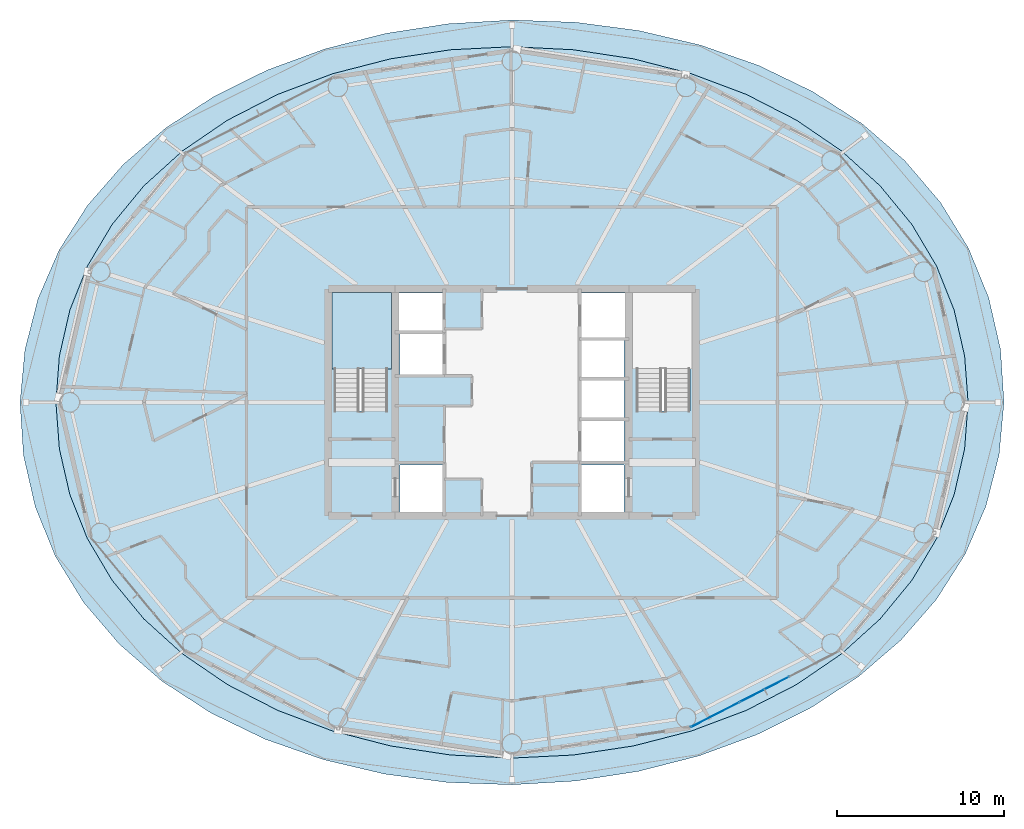
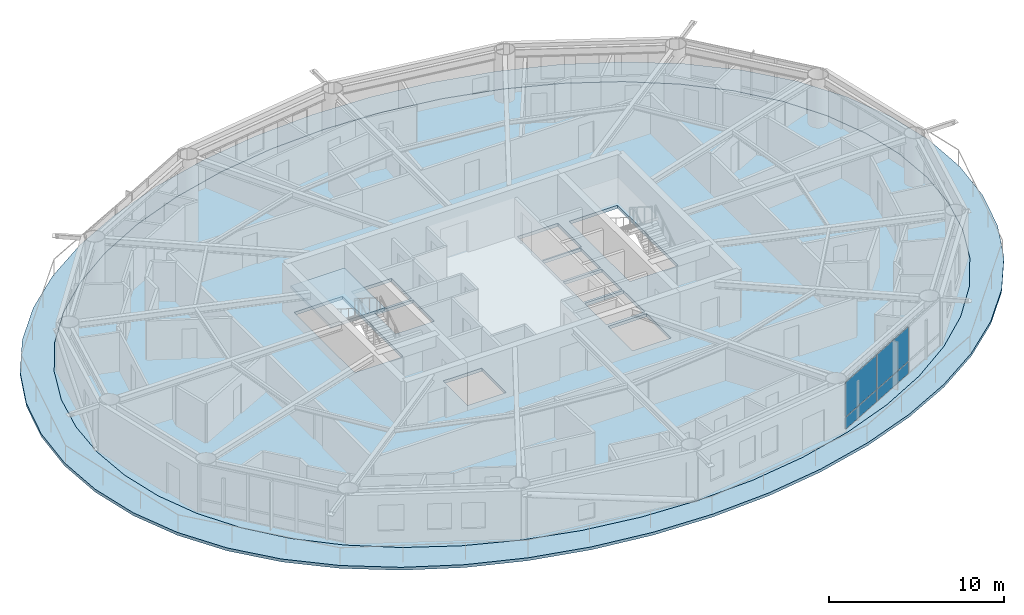
# One storey, part 17 of 27: 4 plates, 3 slabs, 2 elements without a shape of their own.
"""IFC4 building model written with IfcOpenShell, lengths in metres."""

from ifc_helpers import new_model, si_unit, direction, frame, origin, origin_2d, place, context, subcontext, project, spatial, polyline, rectangle, outline, extrude, material, layer, layer_set, type_object, element, aggregate, save


model = new_model("IFC4")

# Units and contexts
model_context = context("Model", 3, precision=1e-05, world=origin(), true_north=direction((0.0, 1.0)))
body_context = subcontext(model_context, "Body", "Model", "MODEL_VIEW")
ifc_project = project(units=[si_unit("LENGTHUNIT", "METRE"), si_unit("AREAUNIT", "SQUARE_METRE"), si_unit("VOLUMEUNIT", "CUBIC_METRE"), si_unit("PLANEANGLEUNIT", "RADIAN"), si_unit("MASSUNIT", "GRAM", prefix="KILO")], contexts=[model_context])

# Site, building, storey
site_placement = place(None, origin())
site = spatial("IfcSite", under=ifc_project, at=site_placement, CompositionType="ELEMENT")
building_placement = place(site_placement, origin())
building = spatial("IfcBuilding", under=site, at=building_placement, Name="Sarneth Arch Tower", CompositionType="ELEMENT")
storey_placement = place(building_placement, frame((0.0, 0.0, 193.800048828125)))
storey = spatial("IfcBuildingStorey", under=building, at=storey_placement, Name="L49", CompositionType="ELEMENT", Elevation=193.800048828125)

# Curtain wall, plates
ifc_material_1 = material(Name="Anodised aluminium Type AA25 and solar-control low-e laminated IGU", Category="aluminium")
ifc_layer_1 = layer(ifc_material_1, 0.169921875)
ifc_layer_set_1 = layer_set([ifc_layer_1], Name="Anodised aluminium Type AA25 and solar-control low-e laminated IGU")
curtain_wall_type = type_object("IfcCurtainWallType", Name="CW-RES-MID", PredefinedType="NOTDEFINED", material=ifc_layer_set_1)
curtain_wall_placement = place(storey_placement, origin())
curtain_wall = element("IfcCurtainWall", 1, at=curtain_wall_placement, inside=storey, type_object=curtain_wall_type, Name="L49 Unitised curtain wall facet 14", PredefinedType="NOTDEFINED")
ifc_material_2 = material(Name="Solar-control low-e laminated IGU", Category="glass")
ifc_layer_2 = layer(ifc_material_2, 0.028076171875)
ifc_layer_set_2 = layer_set([ifc_layer_2], Name="Solar-control low-e laminated IGU")
plate_type = type_object("IfcPlateType", Name="CW-PANEL", PredefinedType="CURTAIN_PANEL", material=ifc_layer_set_2)
plate_1_placement = place(storey_placement, frame((60.16162109375, 23.29296875, 0.059814453125), z_axis=(0.0, 0.0, 1.0), x_axis=(0.88987293003, 0.456208470329, 0.0)))
plate_1 = element("IfcPlate", 2, at=plate_1_placement, type_object=plate_type, Name="Curtain wall glazed vision pane CW-L49-F14/P00-00", PredefinedType="CURTAIN_PANEL", context=body_context, shape_type="SweptSolid", body=[
    extrude(rectangle(XDim=3.248779296875, YDim=0.028076171875, at=origin_2d()), origin(), (0.0, 0.0, 1.0), 0.81005859375),
])
plate_2_placement = place(storey_placement, frame((60.16162109375, 23.29296875, 0.93017578125), z_axis=(0.0, 0.0, 1.0), x_axis=(0.88987293003, 0.456208470329, 0.0)))
plate_2 = element("IfcPlate", 3, at=plate_2_placement, type_object=plate_type, Name="Curtain wall glazed vision pane CW-L49-F14/P00-01", PredefinedType="CURTAIN_PANEL", context=body_context, shape_type="SweptSolid", body=[
    extrude(rectangle(XDim=3.248779296875, YDim=0.028076171875, at=origin_2d()), origin(), (0.0, 0.0, 1.0), 2.389892578125),
])
plate_3_placement = place(storey_placement, frame((63.119384765625, 24.809326171875, 0.059814453125), z_axis=(0.0, 0.0, 1.0), x_axis=(0.88987293003, 0.456208470329, 0.0)))
plate_3 = element("IfcPlate", 4, at=plate_3_placement, type_object=plate_type, Name="Curtain wall glazed vision pane CW-L49-F14/P01-00", PredefinedType="CURTAIN_PANEL", context=body_context, shape_type="SweptSolid", body=[
    extrude(rectangle(XDim=3.27880859375, YDim=0.028076171875, at=origin_2d()), origin(), (0.0, 0.0, 1.0), 0.81005859375),
])
plate_4_placement = place(storey_placement, frame((63.119384765625, 24.809326171875, 0.93017578125), z_axis=(0.0, 0.0, 1.0), x_axis=(0.88987293003, 0.456208470329, 0.0)))
plate_4 = element("IfcPlate", 5, at=plate_4_placement, type_object=plate_type, Name="Curtain wall glazed vision pane CW-L49-F14/P01-01", PredefinedType="CURTAIN_PANEL", context=body_context, shape_type="SweptSolid", body=[
    extrude(rectangle(XDim=3.27880859375, YDim=0.028076171875, at=origin_2d()), origin(), (0.0, 0.0, 1.0), 2.389892578125),
])
aggregate(curtain_wall, [plate_1, plate_2, plate_3, plate_4])

# Slab
ifc_material_3 = material(Name="Concrete C50/60", Category="concrete")
ifc_layer_3 = layer(ifc_material_3, 0.199951171875)
ifc_layer_set_3 = layer_set([ifc_layer_3], Name="Concrete C50/60")
slab_type_1 = type_object("IfcSlabType", Name="SLAB-BALC-200", PredefinedType="FLOOR", material=ifc_layer_set_3)
slab_1_placement = place(storey_placement, frame((0.0, 0.0, -0.199951171875)))
element("IfcSlab", 6, at=slab_1_placement, inside=storey, type_object=slab_type_1, Name="L49 Helical balcony band slab", PredefinedType="FLOOR", context=body_context, shape_type="SweptSolid", body=[
    extrude(outline(polyline([(77.4638671875, 42.0), (77.257568359375, 45.164306640625), (76.549072265625, 48.26220703125), (75.345458984375, 51.21875), (73.661865234375, 53.97314453125), (71.522216796875, 56.477783203125), (68.961669921875, 58.697021484375), (66.028076171875, 60.60302734375), (62.780517578125, 62.175048828125), (59.286376953125, 63.39794921875), (55.61474609375, 64.26220703125), (51.83203125, 64.762939453125), (48.0, 64.8994140625), (44.177001953125, 64.67431640625), (40.419677734375, 64.093505859375), (36.786376953125, 63.16552734375), (33.3388671875, 61.901611328125), (30.138671875, 60.315185546875), (27.245361328125, 58.421875), (24.710205078125, 56.239990234375), (22.573974609375, 53.79052734375), (20.8671875, 51.10009765625), (19.61279296875, 48.20361328125), (18.830078125, 45.148681640625), (18.5361328125, 42.0), (18.742431640625, 38.835693359375), (19.450927734375, 35.73779296875), (20.654541015625, 32.78125), (22.338134765625, 30.02685546875), (24.477783203125, 27.522216796875), (27.038330078125, 25.302978515625), (29.971923828125, 23.39697265625), (33.219482421875, 21.824951171875), (36.713623046875, 20.60205078125), (40.38525390625, 19.73779296875), (44.16796875, 19.237060546875), (48.0, 19.1005859375), (51.822998046875, 19.32568359375), (55.580322265625, 19.906494140625), (59.213623046875, 20.83447265625), (62.6611328125, 22.098388671875), (65.861328125, 23.684814453125), (68.754638671875, 25.578125), (71.289794921875, 27.760009765625), (73.426025390625, 30.20947265625), (75.1328125, 32.89990234375), (76.38720703125, 35.79638671875), (77.169921875, 38.851318359375), (77.4638671875, 42.0)]), holes=[polyline([(75.313232421875, 42.0), (75.10595703125, 44.7802734375), (74.48095703125, 47.512939453125), (73.431396484375, 50.151123046875), (71.9521484375, 52.64990234375), (70.0458984375, 54.966552734375), (67.730712890625, 57.061279296875), (65.04052734375, 58.8984375), (62.025390625, 60.4462890625), (58.7470703125, 61.6787109375), (55.27197265625, 62.57421875), (51.667724609375, 63.11767578125), (48.0, 63.300048828125), (44.332275390625, 63.11767578125), (40.72802734375, 62.57421875), (37.2529296875, 61.6787109375), (33.974609375, 60.4462890625), (30.95947265625, 58.8984375), (28.269287109375, 57.061279296875), (25.9541015625, 54.966552734375), (24.0478515625, 52.64990234375), (22.568603515625, 50.151123046875), (21.51904296875, 47.512939453125), (20.89404296875, 44.7802734375), (20.686767578125, 42.0), (20.89404296875, 39.2197265625), (21.51904296875, 36.487060546875), (22.568603515625, 33.848876953125), (24.0478515625, 31.35009765625), (25.9541015625, 29.033447265625), (28.269287109375, 26.938720703125), (30.95947265625, 25.1015625), (33.974609375, 23.5537109375), (37.2529296875, 22.3212890625), (40.72802734375, 21.42578125), (44.332275390625, 20.88232421875), (48.0, 20.699951171875), (51.667724609375, 20.88232421875), (55.27197265625, 21.42578125), (58.7470703125, 22.3212890625), (62.025390625, 23.5537109375), (65.04052734375, 25.1015625), (67.730712890625, 26.938720703125), (70.0458984375, 29.033447265625), (71.9521484375, 31.35009765625), (73.431396484375, 33.848876953125), (74.48095703125, 36.487060546875), (75.10595703125, 39.2197265625), (75.313232421875, 42.0)])]), origin(), (0.0, 0.0, 1.0), 0.199951171875),
])

# Stair, slab
ifc_material_4 = material(Name="Concrete C50/60", Category="concrete")
stair_type = type_object("IfcStairType", Name="STAIR-CORE-RC", PredefinedType="HALF_TURN_STAIR", material=ifc_material_4)
stair_placement = place(storey_placement, origin())
stair = element("IfcStair", 7, at=stair_placement, inside=storey, type_object=stair_type, Name="L49 Core Exit Stair 1", PredefinedType="HALF_TURN_STAIR")
ifc_material_5 = material(Name="Concrete C50/60", Category="concrete")
ifc_layer_4 = layer(ifc_material_5, 0.199951171875)
ifc_layer_set_4 = layer_set([ifc_layer_4], Name="Concrete C50/60")
slab_type_2 = type_object("IfcSlabType", Name="SLAB-LANDING-200", PredefinedType="LANDING", material=ifc_layer_set_4)
slab_2_placement = place(storey_placement, frame((0.0, 0.0, 1.599853515625)))
slab_2 = element("IfcSlab", 8, at=slab_2_placement, type_object=slab_type_2, Name="ST-1 landing 1", PredefinedType="LANDING", context=body_context, shape_type="SweptSolid", body=[
    extrude(outline(polyline([(37.22509765625, 43.985107421875), (40.77490234375, 43.985107421875), (40.77490234375, 48.574951171875), (37.22509765625, 48.574951171875), (37.22509765625, 43.985107421875)])), origin(), (0.0, 0.0, 1.0), 0.2001953125),
])
aggregate(stair, [slab_2])

# Slab
ifc_material_6 = material(Name="Concrete C50/60", Category="concrete")
ifc_layer_5 = layer(ifc_material_6, 0.219970703125)
ifc_layer_set_5 = layer_set([ifc_layer_5], Name="Concrete C50/60")
slab_type_3 = type_object("IfcSlabType", Name="SLAB-TOWER-220", PredefinedType="FLOOR", material=ifc_layer_set_5)
slab_3_placement = place(storey_placement, frame((0.0, 0.0, -0.219970703125)))
element("IfcSlab", 9, at=slab_3_placement, inside=storey, type_object=slab_type_3, Name="L49 Elliptical floor slab", PredefinedType="FLOOR", context=body_context, shape_type="SweptSolid", body=[
    extrude(outline(polyline([(75.313232421875, 42.0), (75.10595703125, 44.7802734375), (74.48095703125, 47.512939453125), (73.431396484375, 50.151123046875), (71.9521484375, 52.64990234375), (70.0458984375, 54.966552734375), (67.730712890625, 57.061279296875), (65.04052734375, 58.8984375), (62.025390625, 60.4462890625), (58.7470703125, 61.6787109375), (55.27197265625, 62.57421875), (51.667724609375, 63.11767578125), (48.0, 63.300048828125), (44.332275390625, 63.11767578125), (40.72802734375, 62.57421875), (37.2529296875, 61.6787109375), (33.974609375, 60.4462890625), (30.95947265625, 58.8984375), (28.269287109375, 57.061279296875), (25.9541015625, 54.966552734375), (24.0478515625, 52.64990234375), (22.568603515625, 50.151123046875), (21.51904296875, 47.512939453125), (20.89404296875, 44.7802734375), (20.686767578125, 42.0), (20.89404296875, 39.2197265625), (21.51904296875, 36.487060546875), (22.568603515625, 33.848876953125), (24.0478515625, 31.35009765625), (25.9541015625, 29.033447265625), (28.269287109375, 26.938720703125), (30.95947265625, 25.1015625), (33.974609375, 23.5537109375), (37.2529296875, 22.3212890625), (40.72802734375, 21.42578125), (44.332275390625, 20.88232421875), (48.0, 20.699951171875), (51.667724609375, 20.88232421875), (55.27197265625, 21.42578125), (58.7470703125, 22.3212890625), (62.025390625, 23.5537109375), (65.04052734375, 25.1015625), (67.730712890625, 26.938720703125), (70.0458984375, 29.033447265625), (71.9521484375, 31.35009765625), (73.431396484375, 33.848876953125), (74.48095703125, 36.487060546875), (75.10595703125, 39.2197265625), (75.313232421875, 42.0)]), holes=[polyline([(37.35009765625, 41.489990234375), (40.550048828125, 41.489990234375), (40.550048828125, 48.39990234375), (37.35009765625, 48.39990234375), (37.35009765625, 41.489990234375)]), polyline([(55.449951171875, 41.489990234375), (58.64990234375, 41.489990234375), (58.64990234375, 48.39990234375), (55.449951171875, 48.39990234375), (55.449951171875, 41.489990234375)]), polyline([(41.199951171875, 46.25), (43.85009765625, 46.25), (43.85009765625, 48.550048828125), (41.199951171875, 48.550048828125), (41.199951171875, 46.25)]), polyline([(41.300048828125, 35.449951171875), (43.85009765625, 35.449951171875), (43.85009765625, 38.25), (41.300048828125, 38.25), (41.300048828125, 35.449951171875)]), polyline([(52.14990234375, 35.449951171875), (54.699951171875, 35.449951171875), (54.699951171875, 38.25), (52.14990234375, 38.25), (52.14990234375, 35.449951171875)]), polyline([(52.14990234375, 45.85009765625), (54.800048828125, 45.85009765625), (54.800048828125, 48.550048828125), (52.14990234375, 48.550048828125), (52.14990234375, 45.85009765625)]), polyline([(41.300048828125, 43.64990234375), (43.85009765625, 43.64990234375), (43.85009765625, 46.10009765625), (41.300048828125, 46.10009765625), (41.300048828125, 43.64990234375)]), polyline([(52.14990234375, 38.449951171875), (54.699951171875, 38.449951171875), (54.699951171875, 40.89990234375), (52.14990234375, 40.89990234375), (52.14990234375, 38.449951171875)]), polyline([(52.14990234375, 41.050048828125), (54.699951171875, 41.050048828125), (54.699951171875, 43.35009765625), (52.14990234375, 43.35009765625), (52.14990234375, 41.050048828125)]), polyline([(52.14990234375, 43.5), (54.699951171875, 43.5), (54.699951171875, 45.75), (52.14990234375, 45.75), (52.14990234375, 43.5)])]), origin(), (0.0, 0.0, 1.0), 0.219970703125),
])

save(model, "model.ifc")
